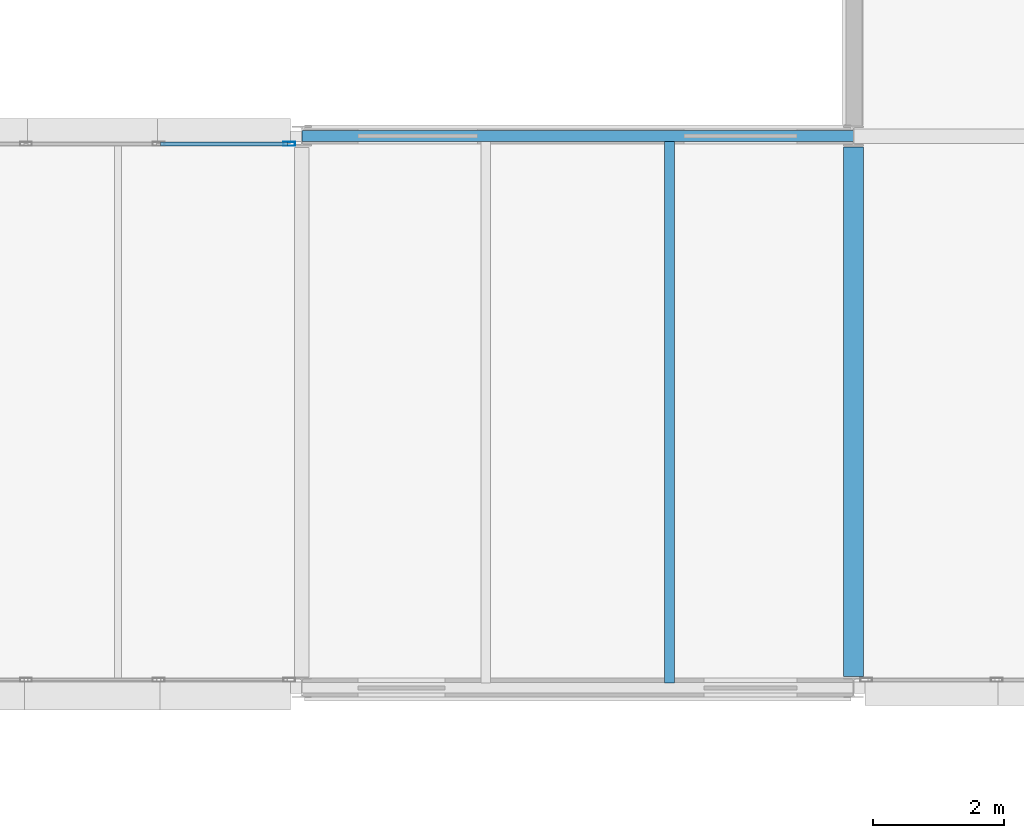
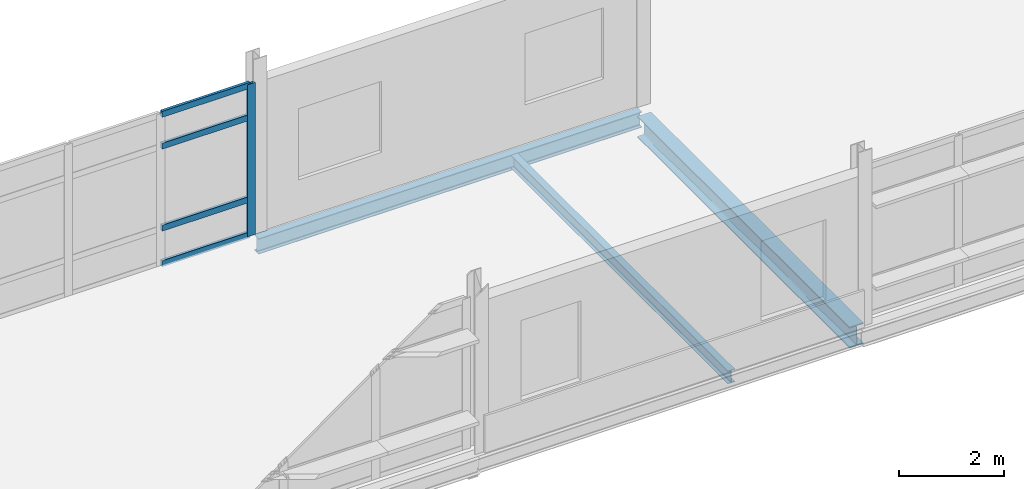
# One storey, part 21 of 103: 5 members, 3 beams, 1 element without a shape of its own.
"""IFC4 building model written with IfcOpenShell, lengths in metres."""

import ifcopenshell
import ifcopenshell.guid

model = None  # the IFC model being written
_history = None  # IfcOwnerHistory: only IFC2X3 demands one
_inside = {}  # id of a spatial element -> (the spatial element, [elements in it])
_under = {}  # id of a project, library or spatial element -> (it, [spatial elements below it])
_declared = {}  # id of a project -> (the project, [libraries it declares])
_typed = {}  # id of a type object -> (the type object, [elements of that type])
_made_of = {}  # id of a material, layer set ... -> (it, [elements and type objects made of it])


def new_model(schema):
    """Start an empty IFC model of exactly this schema.

    Asked for "IFC4X3", IfcOpenShell would pick the latest addendum, in which some entities
    have other attributes; the version numbers below select the first issue.
    IFC2X3 requires an IfcOwnerHistory on every rooted entity: one is made here for all.
    """
    global model, _history
    if schema == "IFC4X3":
        model = ifcopenshell.file(schema_version=(4, 3, 0, 0))
    else:
        model = ifcopenshell.file(schema=schema)
    _inside.clear()
    _under.clear()
    _declared.clear()
    _typed.clear()
    _made_of.clear()
    _history = None
    if model.schema == "IFC2X3":
        org = make("IfcOrganization", Name="unknown")
        user = make(
            "IfcPersonAndOrganization",
            ThePerson=make("IfcPerson", FamilyName="unknown"),
            TheOrganization=org,
        )
        app = make(
            "IfcApplication",
            ApplicationDeveloper=org,
            Version="unknown",
            ApplicationFullName="unknown",
            ApplicationIdentifier="unknown",
        )
        _history = make(
            "IfcOwnerHistory",
            OwningUser=user,
            OwningApplication=app,
            ChangeAction="ADDED",
            CreationDate=0,
        )
    return model


def make(cls, **values):
    """One entity of the class cls with the attributes given. An attribute that is None is left unset."""
    return model.create_entity(
        cls, **{name: value for name, value in values.items() if value is not None}
    )


def rooted(cls, **values):
    """An entity with a GlobalId (a new one), such as an element, a storey or a relation."""
    return make(cls, GlobalId=ifcopenshell.guid.new(), OwnerHistory=_history, **values)


def si_unit(unit_type, name, prefix=None):
    """IfcSIUnit, for example si_unit("LENGTHUNIT", "METRE", prefix="MILLI")."""
    return make("IfcSIUnit", UnitType=unit_type, Prefix=prefix, Name=name)


def assignment(units):
    """IfcUnitAssignment: the units of a project."""
    return None if units is None else make("IfcUnitAssignment", Units=units)


def point(xyz):
    """IfcCartesianPoint."""
    return None if xyz is None else make("IfcCartesianPoint", Coordinates=xyz)


def direction(xyz):
    """IfcDirection."""
    return None if xyz is None else make("IfcDirection", DirectionRatios=xyz)


def frame(location, z_axis=None, x_axis=None):
    """IfcAxis2Placement3D, a coordinate frame: its origin and axes. An axis left out is left unset."""
    return make(
        "IfcAxis2Placement3D",
        Location=point(location),
        Axis=direction(z_axis),
        RefDirection=direction(x_axis),
    )


def frame_2d(location, x_axis=None):
    """IfcAxis2Placement2D, a coordinate frame in the plane: its origin and x axis."""
    return make(
        "IfcAxis2Placement2D", Location=point(location), RefDirection=direction(x_axis)
    )


def origin():
    """The frame at (0, 0, 0) with its axes left unset."""
    return frame((0.0, 0.0, 0.0))


def origin_2d():
    """The frame at (0, 0) in the plane with its x axis left unset."""
    return frame_2d((0.0, 0.0))


def place(relative_to, where):
    """IfcLocalPlacement: puts the frame where relative to a parent placement (None: the world)."""
    return make(
        "IfcLocalPlacement", PlacementRelTo=relative_to, RelativePlacement=where
    )


def context(
    kind, dimensions, precision=None, world=None, true_north=None, identifier=None
):
    """IfcGeometricRepresentationContext, for example the 3D "Model" context."""
    return make(
        "IfcGeometricRepresentationContext",
        ContextIdentifier=identifier,
        ContextType=kind,
        CoordinateSpaceDimension=dimensions,
        Precision=precision,
        WorldCoordinateSystem=world,
        TrueNorth=true_north,
    )


def subcontext(parent, identifier, kind, view, scale=None):
    """IfcGeometricRepresentationSubContext, for example "Body" below "Model"."""
    return make(
        "IfcGeometricRepresentationSubContext",
        ContextIdentifier=identifier,
        ContextType=kind,
        ParentContext=parent,
        TargetScale=scale,
        TargetView=view,
    )


def project(units=None, contexts=None):
    """IfcProject with its units and contexts."""
    return rooted(
        "IfcProject",
        Name="project",
        RepresentationContexts=contexts,
        UnitsInContext=assignment(units),
    )


def spatial(cls, under=None, at=None, **own):
    """A site, building, storey or space (cls), placed at a placement, below another one or the project."""
    s = rooted(cls, ObjectPlacement=at, **own)
    if under is not None:
        _under.setdefault(under.id(), (under, []))[1].append(s)
    return s


def profile(cls, at=None, kind="AREA", **sizes):
    """A parametric profile (cls). Its sizes go by their IFC names, for example OverallWidth=200.0."""
    return make(cls, ProfileType=kind, Position=at, **sizes)


def hollow_rectangle(**sizes):
    """IfcRectangleHollowProfileDef."""
    return profile("IfcRectangleHollowProfileDef", **sizes)


def i_section(**sizes):
    """IfcIShapeProfileDef."""
    return profile("IfcIShapeProfileDef", **sizes)


def extrude(swept, where, along, depth):
    """IfcExtrudedAreaSolid: the profile swept, set in the frame where, extruded along a direction by depth."""
    return make(
        "IfcExtrudedAreaSolid",
        SweptArea=swept,
        Position=where,
        ExtrudedDirection=direction(along),
        Depth=depth,
    )


def shape(context_of_items, identifier, shape_type, items):
    """IfcShapeRepresentation: the items that make up one representation, for example the "Body"."""
    return make(
        "IfcShapeRepresentation",
        ContextOfItems=context_of_items,
        RepresentationIdentifier=identifier,
        RepresentationType=shape_type,
        Items=items,
    )


def material(Name=None, Category=None):
    """IfcMaterial."""
    return make("IfcMaterial", Name=Name, Category=Category)


def material_profile(
    of_material, cross_section, Name=None, Category=None, Priority=None
):
    """IfcMaterialProfile: a cross section and its material."""
    return make(
        "IfcMaterialProfile",
        Name=Name,
        Material=of_material,
        Profile=cross_section,
        Priority=Priority,
        Category=Category,
    )


def profile_set(profiles, Name=None, composite=None):
    """IfcMaterialProfileSet."""
    return make(
        "IfcMaterialProfileSet",
        Name=Name,
        MaterialProfiles=profiles,
        CompositeProfile=composite,
    )


def made_of(thing, what):
    """Note that an element or type object is made of a material, layer set ...; save() writes the relation."""
    if what is not None:
        _made_of.setdefault(what.id(), (what, []))[1].append(thing)
    return thing


def type_object(cls, material=None, **own):
    """A type object (cls), such as IfcWallType, which elements share."""
    return made_of(rooted(cls, **own), material)


def element(
    cls,
    number,
    at=None,
    inside=None,
    cuts=None,
    type_object=None,
    material=None,
    context=None,
    identifier="Body",
    shape_type=None,
    held_by="IfcProductDefinitionShape",
    body=None,
    shapes=None,
    **own,
):
    """One element of the class cls, such as IfcWall. Its Tag is "e" and its number.

    at: its placement. inside: the storey or other place that contains it. cuts: it is an
    opening in that element (IfcRelVoidsElement). A single representation is given by context,
    identifier, shape_type and body (its items); several are given by shapes. held_by: the class
    of the entity that holds the representations. save() writes the other relations.
    """
    e = rooted(cls, Tag="e%d" % number, ObjectPlacement=at, **own)
    if body is not None:
        shapes = [shape(context, identifier, shape_type, body)]
    if shapes is not None:
        e.Representation = make(held_by, Representations=shapes)
    if inside is not None:
        _inside.setdefault(inside.id(), (inside, []))[1].append(e)
    if cuts is not None:
        rooted(
            "IfcRelVoidsElement", RelatingBuildingElement=cuts, RelatedOpeningElement=e
        )
    if type_object is not None:
        _typed.setdefault(type_object.id(), (type_object, []))[1].append(e)
    return made_of(e, material)


def aggregate(whole, parts):
    """IfcRelAggregates: a whole, such as a stair, and the parts it consists of."""
    return rooted("IfcRelAggregates", RelatingObject=whole, RelatedObjects=parts)


def save(model, path):
    """Write the relations noted so far, then the file.

    IfcRelAggregates (storeys below a building ...), IfcRelContainedInSpatialStructure (elements
    in a storey), IfcRelDefinesByType, IfcRelAssociatesMaterial and IfcRelDeclares: one each for
    every whole, place, type object, material and project.
    """
    for whole, parts in _under.values():
        aggregate(whole, parts)
    for where, things in _inside.values():
        rooted(
            "IfcRelContainedInSpatialStructure",
            RelatedElements=things,
            RelatingStructure=where,
        )
    for kind, things in _typed.values():
        rooted("IfcRelDefinesByType", RelatedObjects=things, RelatingType=kind)
    for what, things in _made_of.values():
        rooted("IfcRelAssociatesMaterial", RelatedObjects=things, RelatingMaterial=what)
    for by, libraries in _declared.values():
        rooted("IfcRelDeclares", RelatingContext=by, RelatedDefinitions=libraries)
    model.write(path)


model = new_model("IFC4")

# Units and contexts
model_context = context("Model", 3, precision=1e-05, world=origin(), true_north=direction((0.0, 1.0)))
body_context = subcontext(model_context, "Body", "Model", "MODEL_VIEW")
ifc_project = project(units=[si_unit("LENGTHUNIT", "METRE"), si_unit("AREAUNIT", "SQUARE_METRE"), si_unit("VOLUMEUNIT", "CUBIC_METRE"), si_unit("PLANEANGLEUNIT", "RADIAN"), si_unit("MASSUNIT", "GRAM", prefix="KILO")], contexts=[model_context])

# Site, building, storey
site_placement = place(None, origin())
site = spatial("IfcSite", under=ifc_project, at=site_placement, CompositionType="ELEMENT")
building_placement = place(site_placement, origin())
building = spatial("IfcBuilding", under=site, at=building_placement, Name="Mersafa Astral City Hall", CompositionType="ELEMENT")
storey_placement = place(building_placement, frame((0.0, 0.0, 18.0)))
storey = spatial("IfcBuildingStorey", under=building, at=storey_placement, Name="L04", CompositionType="ELEMENT", Elevation=18.0)

# Curtain wall, members
ifc_material_1 = material(Name="Anodised bronze aluminium framing", Category="aluminium")
curtain_wall_type = type_object("IfcCurtainWallType", Name="ENV-CW-6", PredefinedType="USERDEFINED", material=ifc_material_1)
curtain_wall_placement = place(storey_placement, origin())
curtain_wall = element("IfcCurtainWall", 1, at=curtain_wall_placement, inside=storey, type_object=curtain_wall_type, Name="L04 Unitised solar curtain wall 197", ObjectType="UNITISED CURTAIN WALL", PredefinedType="USERDEFINED")
ifc_material_profile_1 = material_profile(ifc_material_1, hollow_rectangle(XDim=0.06005859375, YDim=0.179931640625, WallThickness=0.00390625, at=origin_2d()), Name="RHS 60x180x4")
ifc_profile_set_1 = profile_set([ifc_material_profile_1], Name="Anodised bronze aluminium framing")
member_type_1 = type_object("IfcMemberType", Name="ENV-CW-MUL-1", PredefinedType="MULLION", material=ifc_profile_set_1)
member_1_placement = place(storey_placement, frame((33.407958984375, 100.679931640625, -0.001953125), z_axis=(0.0, 0.0, 1.0), x_axis=(0.0, -1.0, 0.0)))
member_1 = element("IfcMember", 2, at=member_1_placement, type_object=member_type_1, Name="CW-6 mullion 1", PredefinedType="MULLION", context=body_context, shape_type="SweptSolid", body=[
    extrude(hollow_rectangle(XDim=0.06005859375, YDim=0.179931640625, WallThickness=0.00390625, at=origin_2d()), origin(), (0.0, 0.0, 1.0), 3.51904296875),
])
ifc_material_profile_2 = material_profile(ifc_material_1, hollow_rectangle(XDim=0.06005859375, YDim=0.139892578125, WallThickness=0.00390625, at=origin_2d()), Name="RHS 60x140x4")
ifc_profile_set_2 = profile_set([ifc_material_profile_2], Name="Anodised bronze aluminium framing")
member_type_2 = type_object("IfcMemberType", Name="ENV-CW-TRN-1", PredefinedType="USERDEFINED", material=ifc_profile_set_2)
member_2_placement = place(storey_placement, frame((33.3779296875, 100.679931640625, 0.028076171875), z_axis=(-1.0, 0.0, 0.0), x_axis=(0.0, -1.0, 0.0)))
member_2 = element("IfcMember", 3, at=member_2_placement, type_object=member_type_2, Name="CW-6 transom 1.1", ObjectType="TRANSOM", PredefinedType="USERDEFINED", context=body_context, shape_type="SweptSolid", body=[
    extrude(hollow_rectangle(XDim=0.06005859375, YDim=0.139892578125, WallThickness=0.00390625, at=origin_2d()), origin(), (0.0, 0.0, 1.0), 1.928955078125),
])
member_3_placement = place(storey_placement, frame((33.3779296875, 100.679931640625, 0.85009765625), z_axis=(-1.0, 0.0, 0.0), x_axis=(0.0, -1.0, 0.0)))
member_3 = element("IfcMember", 4, at=member_3_placement, type_object=member_type_2, Name="CW-6 transom 1.2", ObjectType="TRANSOM", PredefinedType="USERDEFINED", context=body_context, shape_type="SweptSolid", body=[
    extrude(hollow_rectangle(XDim=0.06005859375, YDim=0.139892578125, WallThickness=0.00390625, at=origin_2d()), origin(), (0.0, 0.0, 1.0), 1.928955078125),
])
member_4_placement = place(storey_placement, frame((33.3779296875, 100.679931640625, 2.75), z_axis=(-1.0, 0.0, 0.0), x_axis=(0.0, -1.0, 0.0)))
member_4 = element("IfcMember", 5, at=member_4_placement, type_object=member_type_2, Name="CW-6 transom 1.3", ObjectType="TRANSOM", PredefinedType="USERDEFINED", context=body_context, shape_type="SweptSolid", body=[
    extrude(hollow_rectangle(XDim=0.06005859375, YDim=0.139892578125, WallThickness=0.00390625, at=origin_2d()), origin(), (0.0, 0.0, 1.0), 1.928955078125),
])
member_5_placement = place(storey_placement, frame((33.3779296875, 100.679931640625, 3.487060546875), z_axis=(-1.0, 0.0, 0.0), x_axis=(0.0, -1.0, 0.0)))
member_5 = element("IfcMember", 6, at=member_5_placement, type_object=member_type_2, Name="CW-6 transom 1.4", ObjectType="TRANSOM", PredefinedType="USERDEFINED", context=body_context, shape_type="SweptSolid", body=[
    extrude(hollow_rectangle(XDim=0.06005859375, YDim=0.139892578125, WallThickness=0.00390625, at=origin_2d()), origin(), (0.0, 0.0, 1.0), 1.928955078125),
])
aggregate(curtain_wall, [member_1, member_2, member_3, member_4, member_5])

# Beams
ifc_material_2 = material(Name="Steel S355", Category="steel")
ifc_material_profile_3 = material_profile(ifc_material_2, i_section(OverallWidth=0.300048828125, OverallDepth=0.489990234375, WebThickness=0.011962890625, FlangeThickness=0.02294921875, FilletRadius=0.027099609375, at=origin_2d()), Name="HEA 500")
ifc_profile_set_3 = profile_set([ifc_material_profile_3], Name="Steel S355")
beam_type_1 = type_object("IfcBeamType", Name="STR-BM-HEA500", PredefinedType="BEAM", material=ifc_profile_set_3)
beam_1_placement = place(storey_placement, frame((42.0, 92.574951171875, -0.429931640625), z_axis=(0.0, 1.0, 0.0), x_axis=(-1.0, 0.0, 0.0)))
element("IfcBeam", 7, at=beam_1_placement, inside=storey, type_object=beam_type_1, Name="L04 Primary girder Y 5-11", PredefinedType="BEAM", context=body_context, shape_type="SweptSolid", body=[
    extrude(i_section(OverallWidth=0.300048828125, OverallDepth=0.489990234375, WebThickness=0.011962890625, FlangeThickness=0.02294921875, FilletRadius=0.027099609375, at=origin_2d()), origin(), (0.0, 0.0, 1.0), 8.06005859375),
])
ifc_material_profile_4 = material_profile(ifc_material_2, i_section(OverallWidth=0.14990234375, OverallDepth=0.300048828125, WebThickness=0.007080078125, FlangeThickness=0.0107421875, FilletRadius=0.014892578125, at=origin_2d()), Name="IPE 300")
ifc_profile_set_4 = profile_set([ifc_material_profile_4], Name="Steel S355")
beam_type_2 = type_object("IfcBeamType", Name="STR-BM-JOIST-IPE300", PredefinedType="JOIST", material=ifc_profile_set_4)
beam_2_placement = place(storey_placement, frame((39.199951171875, 92.47509765625, -0.3349609375), z_axis=(0.0, 1.0, 0.0), x_axis=(-1.0, 0.0, 0.0)))
element("IfcBeam", 8, at=beam_2_placement, inside=storey, type_object=beam_type_2, Name="L04 Composite secondary floor joist 693", PredefinedType="JOIST", context=body_context, shape_type="SweptSolid", body=[
    extrude(i_section(OverallWidth=0.14990234375, OverallDepth=0.300048828125, WebThickness=0.007080078125, FlangeThickness=0.0107421875, FilletRadius=0.014892578125, at=origin_2d()), origin(), (0.0, 0.0, 1.0), 8.244873046875),
])
ifc_material_profile_5 = material_profile(ifc_material_2, i_section(OverallWidth=0.169921875, OverallDepth=0.360107421875, WebThickness=0.008056640625, FlangeThickness=0.0126953125, FilletRadius=0.01806640625, at=origin_2d()), Name="IPE 360")
ifc_profile_set_5 = profile_set([ifc_material_profile_5], Name="Steel S355")
beam_type_3 = type_object("IfcBeamType", Name="STR-BM-SPANDREL-IPE360", PredefinedType="SPANDREL", material=ifc_profile_set_5)
beam_3_placement = place(storey_placement, frame((33.60302734375, 100.800048828125, -0.364990234375), z_axis=(1.0, 0.0, 0.0), x_axis=(0.0, 1.0, 0.0)))
element("IfcBeam", 9, at=beam_3_placement, inside=storey, type_object=beam_type_3, Name="L04 Primary girder X 4-12", PredefinedType="SPANDREL", context=body_context, shape_type="SweptSolid", body=[
    extrude(i_section(OverallWidth=0.169921875, OverallDepth=0.360107421875, WebThickness=0.008056640625, FlangeThickness=0.0126953125, FilletRadius=0.01806640625, at=origin_2d()), origin(), (0.0, 0.0, 1.0), 8.39404296875),
])

save(model, "model.ifc")
